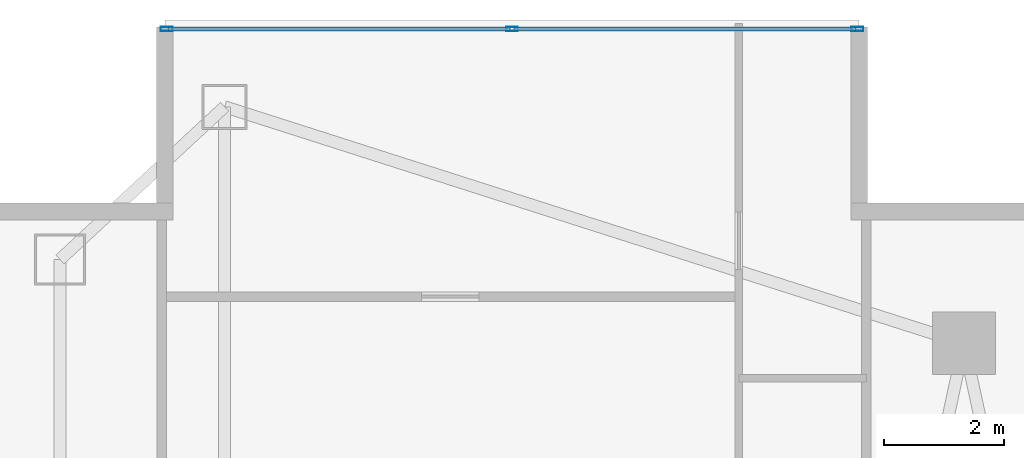
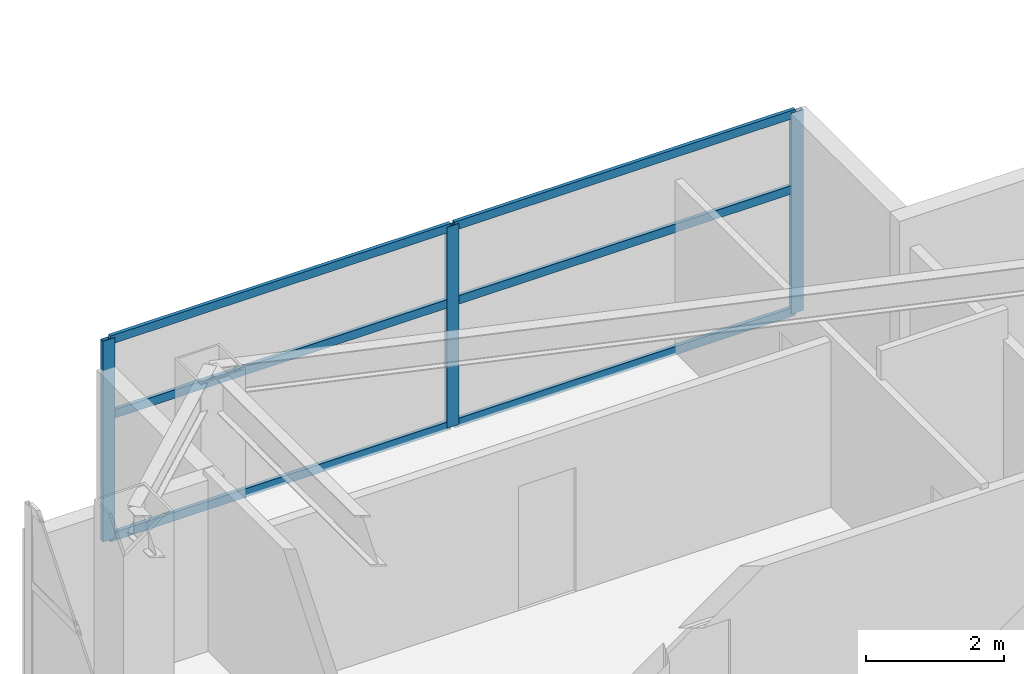
# One storey, part 19 of 29: 9 members, 1 element without a shape of its own.
"""IFC4 building model written with IfcOpenShell, lengths in metres."""

import ifcopenshell
import ifcopenshell.guid

model = None  # the IFC model being written
_history = None  # IfcOwnerHistory: only IFC2X3 demands one
_inside = {}  # id of a spatial element -> (the spatial element, [elements in it])
_under = {}  # id of a project, library or spatial element -> (it, [spatial elements below it])
_declared = {}  # id of a project -> (the project, [libraries it declares])
_typed = {}  # id of a type object -> (the type object, [elements of that type])
_made_of = {}  # id of a material, layer set ... -> (it, [elements and type objects made of it])


def new_model(schema):
    """Start an empty IFC model of exactly this schema.

    Asked for "IFC4X3", IfcOpenShell would pick the latest addendum, in which some entities
    have other attributes; the version numbers below select the first issue.
    IFC2X3 requires an IfcOwnerHistory on every rooted entity: one is made here for all.
    """
    global model, _history
    if schema == "IFC4X3":
        model = ifcopenshell.file(schema_version=(4, 3, 0, 0))
    else:
        model = ifcopenshell.file(schema=schema)
    _inside.clear()
    _under.clear()
    _declared.clear()
    _typed.clear()
    _made_of.clear()
    _history = None
    if model.schema == "IFC2X3":
        org = make("IfcOrganization", Name="unknown")
        user = make(
            "IfcPersonAndOrganization",
            ThePerson=make("IfcPerson", FamilyName="unknown"),
            TheOrganization=org,
        )
        app = make(
            "IfcApplication",
            ApplicationDeveloper=org,
            Version="unknown",
            ApplicationFullName="unknown",
            ApplicationIdentifier="unknown",
        )
        _history = make(
            "IfcOwnerHistory",
            OwningUser=user,
            OwningApplication=app,
            ChangeAction="ADDED",
            CreationDate=0,
        )
    return model


def make(cls, **values):
    """One entity of the class cls with the attributes given. An attribute that is None is left unset."""
    return model.create_entity(
        cls, **{name: value for name, value in values.items() if value is not None}
    )


def rooted(cls, **values):
    """An entity with a GlobalId (a new one), such as an element, a storey or a relation."""
    return make(cls, GlobalId=ifcopenshell.guid.new(), OwnerHistory=_history, **values)


def si_unit(unit_type, name, prefix=None):
    """IfcSIUnit, for example si_unit("LENGTHUNIT", "METRE", prefix="MILLI")."""
    return make("IfcSIUnit", UnitType=unit_type, Prefix=prefix, Name=name)


def assignment(units):
    """IfcUnitAssignment: the units of a project."""
    return None if units is None else make("IfcUnitAssignment", Units=units)


def point(xyz):
    """IfcCartesianPoint."""
    return None if xyz is None else make("IfcCartesianPoint", Coordinates=xyz)


def direction(xyz):
    """IfcDirection."""
    return None if xyz is None else make("IfcDirection", DirectionRatios=xyz)


def frame(location, z_axis=None, x_axis=None):
    """IfcAxis2Placement3D, a coordinate frame: its origin and axes. An axis left out is left unset."""
    return make(
        "IfcAxis2Placement3D",
        Location=point(location),
        Axis=direction(z_axis),
        RefDirection=direction(x_axis),
    )


def frame_2d(location, x_axis=None):
    """IfcAxis2Placement2D, a coordinate frame in the plane: its origin and x axis."""
    return make(
        "IfcAxis2Placement2D", Location=point(location), RefDirection=direction(x_axis)
    )


def origin():
    """The frame at (0, 0, 0) with its axes left unset."""
    return frame((0.0, 0.0, 0.0))


def origin_2d():
    """The frame at (0, 0) in the plane with its x axis left unset."""
    return frame_2d((0.0, 0.0))


def place(relative_to, where):
    """IfcLocalPlacement: puts the frame where relative to a parent placement (None: the world)."""
    return make(
        "IfcLocalPlacement", PlacementRelTo=relative_to, RelativePlacement=where
    )


def context(
    kind, dimensions, precision=None, world=None, true_north=None, identifier=None
):
    """IfcGeometricRepresentationContext, for example the 3D "Model" context."""
    return make(
        "IfcGeometricRepresentationContext",
        ContextIdentifier=identifier,
        ContextType=kind,
        CoordinateSpaceDimension=dimensions,
        Precision=precision,
        WorldCoordinateSystem=world,
        TrueNorth=true_north,
    )


def subcontext(parent, identifier, kind, view, scale=None):
    """IfcGeometricRepresentationSubContext, for example "Body" below "Model"."""
    return make(
        "IfcGeometricRepresentationSubContext",
        ContextIdentifier=identifier,
        ContextType=kind,
        ParentContext=parent,
        TargetScale=scale,
        TargetView=view,
    )


def project(units=None, contexts=None):
    """IfcProject with its units and contexts."""
    return rooted(
        "IfcProject",
        Name="project",
        RepresentationContexts=contexts,
        UnitsInContext=assignment(units),
    )


def spatial(cls, under=None, at=None, **own):
    """A site, building, storey or space (cls), placed at a placement, below another one or the project."""
    s = rooted(cls, ObjectPlacement=at, **own)
    if under is not None:
        _under.setdefault(under.id(), (under, []))[1].append(s)
    return s


def profile(cls, at=None, kind="AREA", **sizes):
    """A parametric profile (cls). Its sizes go by their IFC names, for example OverallWidth=200.0."""
    return make(cls, ProfileType=kind, Position=at, **sizes)


def hollow_rectangle(**sizes):
    """IfcRectangleHollowProfileDef."""
    return profile("IfcRectangleHollowProfileDef", **sizes)


def extrude(swept, where, along, depth):
    """IfcExtrudedAreaSolid: the profile swept, set in the frame where, extruded along a direction by depth."""
    return make(
        "IfcExtrudedAreaSolid",
        SweptArea=swept,
        Position=where,
        ExtrudedDirection=direction(along),
        Depth=depth,
    )


def shape(context_of_items, identifier, shape_type, items):
    """IfcShapeRepresentation: the items that make up one representation, for example the "Body"."""
    return make(
        "IfcShapeRepresentation",
        ContextOfItems=context_of_items,
        RepresentationIdentifier=identifier,
        RepresentationType=shape_type,
        Items=items,
    )


def material(Name=None, Category=None):
    """IfcMaterial."""
    return make("IfcMaterial", Name=Name, Category=Category)


def layer(
    of_material, thickness, ventilated=None, Name=None, Category=None, Priority=None
):
    """IfcMaterialLayer: one layer of a wall or slab, of a material (None: an air gap)."""
    return make(
        "IfcMaterialLayer",
        Material=of_material,
        LayerThickness=thickness,
        IsVentilated=ventilated,
        Name=Name,
        Category=Category,
        Priority=Priority,
    )


def layer_set(layers, Name=None):
    """IfcMaterialLayerSet."""
    return make("IfcMaterialLayerSet", MaterialLayers=layers, LayerSetName=Name)


def material_profile(
    of_material, cross_section, Name=None, Category=None, Priority=None
):
    """IfcMaterialProfile: a cross section and its material."""
    return make(
        "IfcMaterialProfile",
        Name=Name,
        Material=of_material,
        Profile=cross_section,
        Priority=Priority,
        Category=Category,
    )


def profile_set(profiles, Name=None, composite=None):
    """IfcMaterialProfileSet."""
    return make(
        "IfcMaterialProfileSet",
        Name=Name,
        MaterialProfiles=profiles,
        CompositeProfile=composite,
    )


def made_of(thing, what):
    """Note that an element or type object is made of a material, layer set ...; save() writes the relation."""
    if what is not None:
        _made_of.setdefault(what.id(), (what, []))[1].append(thing)
    return thing


def type_object(cls, material=None, **own):
    """A type object (cls), such as IfcWallType, which elements share."""
    return made_of(rooted(cls, **own), material)


def element(
    cls,
    number,
    at=None,
    inside=None,
    cuts=None,
    type_object=None,
    material=None,
    context=None,
    identifier="Body",
    shape_type=None,
    held_by="IfcProductDefinitionShape",
    body=None,
    shapes=None,
    **own,
):
    """One element of the class cls, such as IfcWall. Its Tag is "e" and its number.

    at: its placement. inside: the storey or other place that contains it. cuts: it is an
    opening in that element (IfcRelVoidsElement). A single representation is given by context,
    identifier, shape_type and body (its items); several are given by shapes. held_by: the class
    of the entity that holds the representations. save() writes the other relations.
    """
    e = rooted(cls, Tag="e%d" % number, ObjectPlacement=at, **own)
    if body is not None:
        shapes = [shape(context, identifier, shape_type, body)]
    if shapes is not None:
        e.Representation = make(held_by, Representations=shapes)
    if inside is not None:
        _inside.setdefault(inside.id(), (inside, []))[1].append(e)
    if cuts is not None:
        rooted(
            "IfcRelVoidsElement", RelatingBuildingElement=cuts, RelatedOpeningElement=e
        )
    if type_object is not None:
        _typed.setdefault(type_object.id(), (type_object, []))[1].append(e)
    return made_of(e, material)


def aggregate(whole, parts):
    """IfcRelAggregates: a whole, such as a stair, and the parts it consists of."""
    return rooted("IfcRelAggregates", RelatingObject=whole, RelatedObjects=parts)


def save(model, path):
    """Write the relations noted so far, then the file.

    IfcRelAggregates (storeys below a building ...), IfcRelContainedInSpatialStructure (elements
    in a storey), IfcRelDefinesByType, IfcRelAssociatesMaterial and IfcRelDeclares: one each for
    every whole, place, type object, material and project.
    """
    for whole, parts in _under.values():
        aggregate(whole, parts)
    for where, things in _inside.values():
        rooted(
            "IfcRelContainedInSpatialStructure",
            RelatedElements=things,
            RelatingStructure=where,
        )
    for kind, things in _typed.values():
        rooted("IfcRelDefinesByType", RelatedObjects=things, RelatingType=kind)
    for what, things in _made_of.values():
        rooted("IfcRelAssociatesMaterial", RelatedObjects=things, RelatingMaterial=what)
    for by, libraries in _declared.values():
        rooted("IfcRelDeclares", RelatingContext=by, RelatedDefinitions=libraries)
    model.write(path)


model = new_model("IFC4")

# Units and contexts
model_context = context("Model", 3, precision=1e-05, world=origin(), true_north=direction((0.0, 1.0)))
body_context = subcontext(model_context, "Body", "Model", "MODEL_VIEW")
ifc_project = project(units=[si_unit("LENGTHUNIT", "METRE"), si_unit("AREAUNIT", "SQUARE_METRE"), si_unit("VOLUMEUNIT", "CUBIC_METRE"), si_unit("PLANEANGLEUNIT", "RADIAN"), si_unit("MASSUNIT", "GRAM", prefix="KILO")], contexts=[model_context])

# Site, building, storey
site_placement = place(None, origin())
site = spatial("IfcSite", under=ifc_project, at=site_placement, CompositionType="ELEMENT")
building_placement = place(site_placement, origin())
building = spatial("IfcBuilding", under=site, at=building_placement, Name="Calvorn Quay Hotel", CompositionType="ELEMENT")
storey_placement = place(building_placement, frame((0.0, 0.0, 171.300048828125)))
storey = spatial("IfcBuildingStorey", under=building, at=storey_placement, Name="L42", CompositionType="ELEMENT", Elevation=171.300048828125)

# Curtain wall, members
ifc_material_1 = material(Name="Pale Anodised Aluminium and Low-E Glass", Category="aluminium")
ifc_layer = layer(ifc_material_1, 0.219970703125)
ifc_layer_set = layer_set([ifc_layer], Name="CW-SYS-Z2")
curtain_wall_type = type_object("IfcCurtainWallType", Name="CW-SYS-Z2", PredefinedType="NOTDEFINED", material=ifc_layer_set)
curtain_wall_placement = place(storey_placement, origin())
curtain_wall = element("IfcCurtainWall", 1, at=curtain_wall_placement, inside=storey, type_object=curtain_wall_type, Name="Inner Court Curtain Wall L42-N1", PredefinedType="NOTDEFINED")
ifc_material_2 = material(Name="Pale Anodised Aluminium 6063-T6", Category="aluminium")
ifc_material_profile_1 = material_profile(ifc_material_2, hollow_rectangle(XDim=0.070068359375, YDim=0.199951171875, WallThickness=0.00390625, at=origin_2d()), Name="ALU-M200x70x4")
ifc_profile_set_1 = profile_set([ifc_material_profile_1], Name="Pale Anodised Aluminium 6063-T6")
member_type_1 = type_object("IfcMemberType", Name="CW-SYS-Z2-MUL", PredefinedType="MULLION", material=ifc_profile_set_1)
member_1_placement = place(storey_placement, frame((14.77001953125, 50.85009765625, 0.0), z_axis=(0.0, 0.0, 1.0), x_axis=(0.0, -1.0, 0.0)))
member_1 = element("IfcMember", 2, at=member_1_placement, type_object=member_type_1, Name="CW-L42-N1 mullion 1", PredefinedType="MULLION", context=body_context, shape_type="SweptSolid", body=[
    extrude(hollow_rectangle(XDim=0.070068359375, YDim=0.199951171875, WallThickness=0.00390625, at=origin_2d()), origin(), (0.0, 0.0, 1.0), 3.56005859375),
])
member_2_placement = place(storey_placement, frame((9.0, 50.85009765625, 0.0), z_axis=(0.0, 0.0, 1.0), x_axis=(0.0, -1.0, 0.0)))
member_2 = element("IfcMember", 3, at=member_2_placement, type_object=member_type_1, Name="CW-L42-N1 mullion 2", PredefinedType="MULLION", context=body_context, shape_type="SweptSolid", body=[
    extrude(hollow_rectangle(XDim=0.070068359375, YDim=0.199951171875, WallThickness=0.00390625, at=origin_2d()), origin(), (0.0, 0.0, 1.0), 3.56005859375),
])
member_3_placement = place(storey_placement, frame((3.22998046875, 50.85009765625, 0.0), z_axis=(0.0, 0.0, 1.0), x_axis=(0.0, -1.0, 0.0)))
member_3 = element("IfcMember", 4, at=member_3_placement, type_object=member_type_1, Name="CW-L42-N1 mullion 3", PredefinedType="MULLION", context=body_context, shape_type="SweptSolid", body=[
    extrude(hollow_rectangle(XDim=0.070068359375, YDim=0.199951171875, WallThickness=0.00390625, at=origin_2d()), origin(), (0.0, 0.0, 1.0), 3.56005859375),
])
ifc_material_3 = material(Name="Pale Anodised Aluminium 6063-T6", Category="aluminium")
ifc_material_profile_2 = material_profile(ifc_material_3, hollow_rectangle(XDim=0.06005859375, YDim=0.14990234375, WallThickness=0.00341796875, at=origin_2d()), Name="ALU-T150x60x3.5")
ifc_profile_set_2 = profile_set([ifc_material_profile_2], Name="Pale Anodised Aluminium 6063-T6")
member_type_2 = type_object("IfcMemberType", Name="CW-SYS-Z2-TRN", PredefinedType="USERDEFINED", material=ifc_profile_set_2)
member_4_placement = place(storey_placement, frame((14.739990234375, 50.85009765625, 0.030029296875), z_axis=(-1.0, 0.0, 0.0), x_axis=(0.0, -1.0, 0.0)))
member_4 = element("IfcMember", 5, at=member_4_placement, type_object=member_type_2, Name="CW-L42-N1 transom 1.1", ObjectType="TRANSOM", PredefinedType="USERDEFINED", context=body_context, shape_type="SweptSolid", body=[
    extrude(hollow_rectangle(XDim=0.06005859375, YDim=0.14990234375, WallThickness=0.00341796875, at=origin_2d()), origin(), (0.0, 0.0, 1.0), 5.7099609375),
])
member_5_placement = place(storey_placement, frame((14.739990234375, 50.85009765625, 2.199951171875), z_axis=(-1.0, 0.0, 0.0), x_axis=(0.0, -1.0, 0.0)))
member_5 = element("IfcMember", 6, at=member_5_placement, type_object=member_type_2, Name="CW-L42-N1 transom 1.2", ObjectType="TRANSOM", PredefinedType="USERDEFINED", context=body_context, shape_type="SweptSolid", body=[
    extrude(hollow_rectangle(XDim=0.06005859375, YDim=0.14990234375, WallThickness=0.00341796875, at=origin_2d()), origin(), (0.0, 0.0, 1.0), 5.7099609375),
])
member_6_placement = place(storey_placement, frame((14.739990234375, 50.85009765625, 3.530029296875), z_axis=(-1.0, 0.0, 0.0), x_axis=(0.0, -1.0, 0.0)))
member_6 = element("IfcMember", 7, at=member_6_placement, type_object=member_type_2, Name="CW-L42-N1 transom 1.3", ObjectType="TRANSOM", PredefinedType="USERDEFINED", context=body_context, shape_type="SweptSolid", body=[
    extrude(hollow_rectangle(XDim=0.06005859375, YDim=0.14990234375, WallThickness=0.00341796875, at=origin_2d()), origin(), (0.0, 0.0, 1.0), 5.7099609375),
])
member_7_placement = place(storey_placement, frame((8.969970703125, 50.85009765625, 0.030029296875), z_axis=(-1.0, 0.0, 0.0), x_axis=(0.0, -1.0, 0.0)))
member_7 = element("IfcMember", 8, at=member_7_placement, type_object=member_type_2, Name="CW-L42-N1 transom 2.1", ObjectType="TRANSOM", PredefinedType="USERDEFINED", context=body_context, shape_type="SweptSolid", body=[
    extrude(hollow_rectangle(XDim=0.06005859375, YDim=0.14990234375, WallThickness=0.00341796875, at=origin_2d()), origin(), (0.0, 0.0, 1.0), 5.7099609375),
])
member_8_placement = place(storey_placement, frame((8.969970703125, 50.85009765625, 2.199951171875), z_axis=(-1.0, 0.0, 0.0), x_axis=(0.0, -1.0, 0.0)))
member_8 = element("IfcMember", 9, at=member_8_placement, type_object=member_type_2, Name="CW-L42-N1 transom 2.2", ObjectType="TRANSOM", PredefinedType="USERDEFINED", context=body_context, shape_type="SweptSolid", body=[
    extrude(hollow_rectangle(XDim=0.06005859375, YDim=0.14990234375, WallThickness=0.00341796875, at=origin_2d()), origin(), (0.0, 0.0, 1.0), 5.7099609375),
])
member_9_placement = place(storey_placement, frame((8.969970703125, 50.85009765625, 3.530029296875), z_axis=(-1.0, 0.0, 0.0), x_axis=(0.0, -1.0, 0.0)))
member_9 = element("IfcMember", 10, at=member_9_placement, type_object=member_type_2, Name="CW-L42-N1 transom 2.3", ObjectType="TRANSOM", PredefinedType="USERDEFINED", context=body_context, shape_type="SweptSolid", body=[
    extrude(hollow_rectangle(XDim=0.06005859375, YDim=0.14990234375, WallThickness=0.00341796875, at=origin_2d()), origin(), (0.0, 0.0, 1.0), 5.7099609375),
])
aggregate(curtain_wall, [member_1, member_2, member_3, member_4, member_5, member_6, member_7, member_8, member_9])

save(model, "model.ifc")
